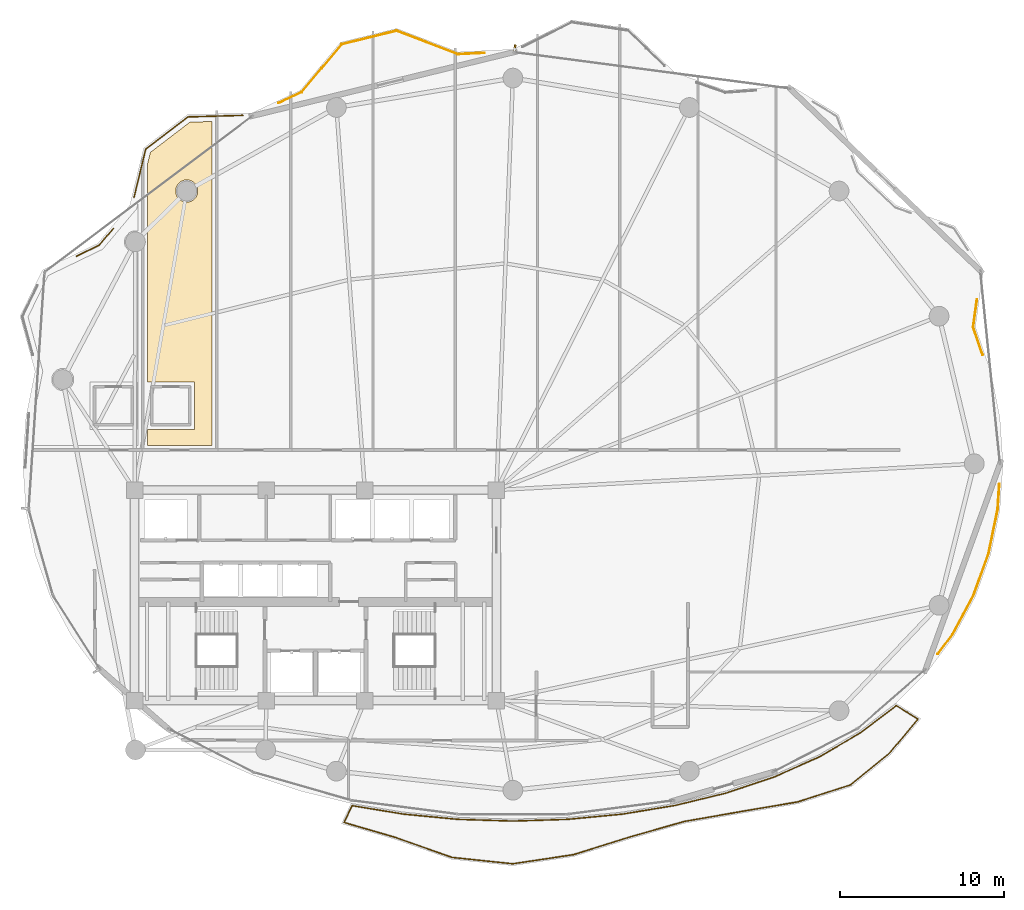
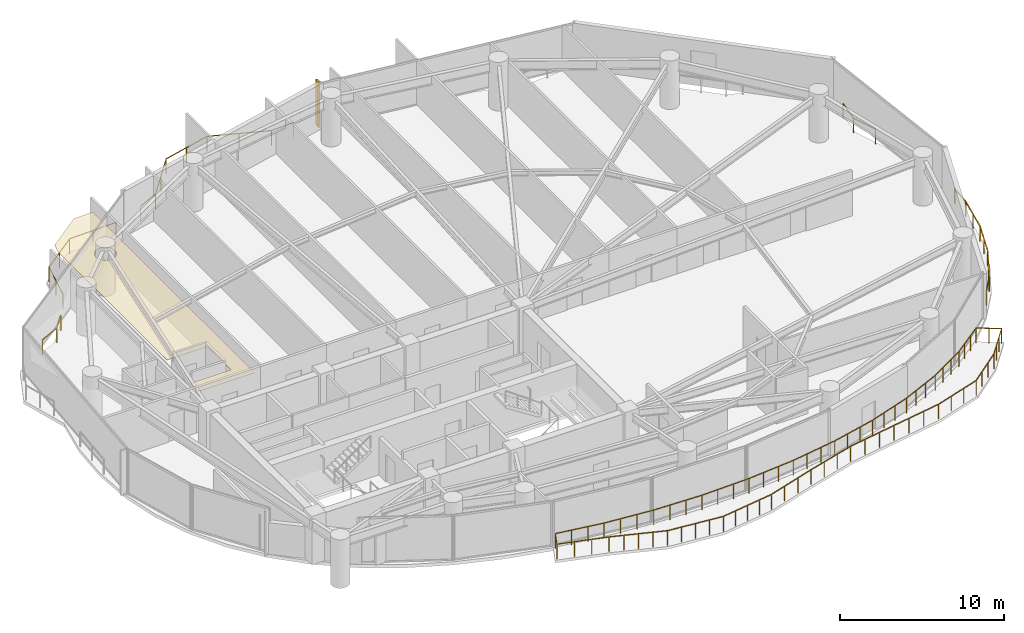
# One storey, part 29 of 30: 6 railings, 1 covering, 1 shading device.
"""IFC4 building model written with IfcOpenShell, lengths in metres."""

import ifcopenshell
import ifcopenshell.guid

model = None  # the IFC model being written
_history = None  # IfcOwnerHistory: only IFC2X3 demands one
_inside = {}  # id of a spatial element -> (the spatial element, [elements in it])
_under = {}  # id of a project, library or spatial element -> (it, [spatial elements below it])
_declared = {}  # id of a project -> (the project, [libraries it declares])
_typed = {}  # id of a type object -> (the type object, [elements of that type])
_made_of = {}  # id of a material, layer set ... -> (it, [elements and type objects made of it])


def new_model(schema):
    """Start an empty IFC model of exactly this schema.

    Asked for "IFC4X3", IfcOpenShell would pick the latest addendum, in which some entities
    have other attributes; the version numbers below select the first issue.
    IFC2X3 requires an IfcOwnerHistory on every rooted entity: one is made here for all.
    """
    global model, _history
    if schema == "IFC4X3":
        model = ifcopenshell.file(schema_version=(4, 3, 0, 0))
    else:
        model = ifcopenshell.file(schema=schema)
    _inside.clear()
    _under.clear()
    _declared.clear()
    _typed.clear()
    _made_of.clear()
    _history = None
    if model.schema == "IFC2X3":
        org = make("IfcOrganization", Name="unknown")
        user = make(
            "IfcPersonAndOrganization",
            ThePerson=make("IfcPerson", FamilyName="unknown"),
            TheOrganization=org,
        )
        app = make(
            "IfcApplication",
            ApplicationDeveloper=org,
            Version="unknown",
            ApplicationFullName="unknown",
            ApplicationIdentifier="unknown",
        )
        _history = make(
            "IfcOwnerHistory",
            OwningUser=user,
            OwningApplication=app,
            ChangeAction="ADDED",
            CreationDate=0,
        )
    return model


def make(cls, **values):
    """One entity of the class cls with the attributes given. An attribute that is None is left unset."""
    return model.create_entity(
        cls, **{name: value for name, value in values.items() if value is not None}
    )


def rooted(cls, **values):
    """An entity with a GlobalId (a new one), such as an element, a storey or a relation."""
    return make(cls, GlobalId=ifcopenshell.guid.new(), OwnerHistory=_history, **values)


def si_unit(unit_type, name, prefix=None):
    """IfcSIUnit, for example si_unit("LENGTHUNIT", "METRE", prefix="MILLI")."""
    return make("IfcSIUnit", UnitType=unit_type, Prefix=prefix, Name=name)


def assignment(units):
    """IfcUnitAssignment: the units of a project."""
    return None if units is None else make("IfcUnitAssignment", Units=units)


def point(xyz):
    """IfcCartesianPoint."""
    return None if xyz is None else make("IfcCartesianPoint", Coordinates=xyz)


def direction(xyz):
    """IfcDirection."""
    return None if xyz is None else make("IfcDirection", DirectionRatios=xyz)


def frame(location, z_axis=None, x_axis=None):
    """IfcAxis2Placement3D, a coordinate frame: its origin and axes. An axis left out is left unset."""
    return make(
        "IfcAxis2Placement3D",
        Location=point(location),
        Axis=direction(z_axis),
        RefDirection=direction(x_axis),
    )


def frame_2d(location, x_axis=None):
    """IfcAxis2Placement2D, a coordinate frame in the plane: its origin and x axis."""
    return make(
        "IfcAxis2Placement2D", Location=point(location), RefDirection=direction(x_axis)
    )


def origin():
    """The frame at (0, 0, 0) with its axes left unset."""
    return frame((0.0, 0.0, 0.0))


def origin_2d():
    """The frame at (0, 0) in the plane with its x axis left unset."""
    return frame_2d((0.0, 0.0))


def place(relative_to, where):
    """IfcLocalPlacement: puts the frame where relative to a parent placement (None: the world)."""
    return make(
        "IfcLocalPlacement", PlacementRelTo=relative_to, RelativePlacement=where
    )


def context(
    kind, dimensions, precision=None, world=None, true_north=None, identifier=None
):
    """IfcGeometricRepresentationContext, for example the 3D "Model" context."""
    return make(
        "IfcGeometricRepresentationContext",
        ContextIdentifier=identifier,
        ContextType=kind,
        CoordinateSpaceDimension=dimensions,
        Precision=precision,
        WorldCoordinateSystem=world,
        TrueNorth=true_north,
    )


def subcontext(parent, identifier, kind, view, scale=None):
    """IfcGeometricRepresentationSubContext, for example "Body" below "Model"."""
    return make(
        "IfcGeometricRepresentationSubContext",
        ContextIdentifier=identifier,
        ContextType=kind,
        ParentContext=parent,
        TargetScale=scale,
        TargetView=view,
    )


def project(units=None, contexts=None):
    """IfcProject with its units and contexts."""
    return rooted(
        "IfcProject",
        Name="project",
        RepresentationContexts=contexts,
        UnitsInContext=assignment(units),
    )


def spatial(cls, under=None, at=None, **own):
    """A site, building, storey or space (cls), placed at a placement, below another one or the project."""
    s = rooted(cls, ObjectPlacement=at, **own)
    if under is not None:
        _under.setdefault(under.id(), (under, []))[1].append(s)
    return s


def polyline(points):
    """IfcPolyline through the points."""
    return make("IfcPolyline", Points=[point(p) for p in points])


def profile(cls, at=None, kind="AREA", **sizes):
    """A parametric profile (cls). Its sizes go by their IFC names, for example OverallWidth=200.0."""
    return make(cls, ProfileType=kind, Position=at, **sizes)


def rectangle(**sizes):
    """IfcRectangleProfileDef."""
    return profile("IfcRectangleProfileDef", **sizes)


def outline(outer, holes=None, kind="AREA"):
    """IfcArbitraryClosedProfileDef: a profile drawn as a closed curve; with holes, ...WithVoids."""
    if holes is None:
        return make("IfcArbitraryClosedProfileDef", ProfileType=kind, OuterCurve=outer)
    return make(
        "IfcArbitraryProfileDefWithVoids",
        ProfileType=kind,
        OuterCurve=outer,
        InnerCurves=holes,
    )


def extrude(swept, where, along, depth):
    """IfcExtrudedAreaSolid: the profile swept, set in the frame where, extruded along a direction by depth."""
    return make(
        "IfcExtrudedAreaSolid",
        SweptArea=swept,
        Position=where,
        ExtrudedDirection=direction(along),
        Depth=depth,
    )


def shape(context_of_items, identifier, shape_type, items):
    """IfcShapeRepresentation: the items that make up one representation, for example the "Body"."""
    return make(
        "IfcShapeRepresentation",
        ContextOfItems=context_of_items,
        RepresentationIdentifier=identifier,
        RepresentationType=shape_type,
        Items=items,
    )


def material(Name=None, Category=None):
    """IfcMaterial."""
    return make("IfcMaterial", Name=Name, Category=Category)


def layer(
    of_material, thickness, ventilated=None, Name=None, Category=None, Priority=None
):
    """IfcMaterialLayer: one layer of a wall or slab, of a material (None: an air gap)."""
    return make(
        "IfcMaterialLayer",
        Material=of_material,
        LayerThickness=thickness,
        IsVentilated=ventilated,
        Name=Name,
        Category=Category,
        Priority=Priority,
    )


def layer_set(layers, Name=None):
    """IfcMaterialLayerSet."""
    return make("IfcMaterialLayerSet", MaterialLayers=layers, LayerSetName=Name)


def made_of(thing, what):
    """Note that an element or type object is made of a material, layer set ...; save() writes the relation."""
    if what is not None:
        _made_of.setdefault(what.id(), (what, []))[1].append(thing)
    return thing


def type_object(cls, material=None, **own):
    """A type object (cls), such as IfcWallType, which elements share."""
    return made_of(rooted(cls, **own), material)


def element(
    cls,
    number,
    at=None,
    inside=None,
    cuts=None,
    type_object=None,
    material=None,
    context=None,
    identifier="Body",
    shape_type=None,
    held_by="IfcProductDefinitionShape",
    body=None,
    shapes=None,
    **own,
):
    """One element of the class cls, such as IfcWall. Its Tag is "e" and its number.

    at: its placement. inside: the storey or other place that contains it. cuts: it is an
    opening in that element (IfcRelVoidsElement). A single representation is given by context,
    identifier, shape_type and body (its items); several are given by shapes. held_by: the class
    of the entity that holds the representations. save() writes the other relations.
    """
    e = rooted(cls, Tag="e%d" % number, ObjectPlacement=at, **own)
    if body is not None:
        shapes = [shape(context, identifier, shape_type, body)]
    if shapes is not None:
        e.Representation = make(held_by, Representations=shapes)
    if inside is not None:
        _inside.setdefault(inside.id(), (inside, []))[1].append(e)
    if cuts is not None:
        rooted(
            "IfcRelVoidsElement", RelatingBuildingElement=cuts, RelatedOpeningElement=e
        )
    if type_object is not None:
        _typed.setdefault(type_object.id(), (type_object, []))[1].append(e)
    return made_of(e, material)


def aggregate(whole, parts):
    """IfcRelAggregates: a whole, such as a stair, and the parts it consists of."""
    return rooted("IfcRelAggregates", RelatingObject=whole, RelatedObjects=parts)


def save(model, path):
    """Write the relations noted so far, then the file.

    IfcRelAggregates (storeys below a building ...), IfcRelContainedInSpatialStructure (elements
    in a storey), IfcRelDefinesByType, IfcRelAssociatesMaterial and IfcRelDeclares: one each for
    every whole, place, type object, material and project.
    """
    for whole, parts in _under.values():
        aggregate(whole, parts)
    for where, things in _inside.values():
        rooted(
            "IfcRelContainedInSpatialStructure",
            RelatedElements=things,
            RelatingStructure=where,
        )
    for kind, things in _typed.values():
        rooted("IfcRelDefinesByType", RelatedObjects=things, RelatingType=kind)
    for what, things in _made_of.values():
        rooted("IfcRelAssociatesMaterial", RelatedObjects=things, RelatingMaterial=what)
    for by, libraries in _declared.values():
        rooted("IfcRelDeclares", RelatingContext=by, RelatedDefinitions=libraries)
    model.write(path)


model = new_model("IFC4")

# Units and contexts
model_context = context("Model", 3, precision=1e-05, world=origin(), true_north=direction((0.0, 1.0)))
body_context = subcontext(model_context, "Body", "Model", "MODEL_VIEW")
ifc_project = project(units=[si_unit("LENGTHUNIT", "METRE"), si_unit("AREAUNIT", "SQUARE_METRE"), si_unit("VOLUMEUNIT", "CUBIC_METRE"), si_unit("PLANEANGLEUNIT", "RADIAN"), si_unit("MASSUNIT", "GRAM", prefix="KILO")], contexts=[model_context])

# Site, building, storey
site_placement = place(None, origin())
site = spatial("IfcSite", under=ifc_project, at=site_placement, CompositionType="ELEMENT")
building_placement = place(site_placement, origin())
building = spatial("IfcBuilding", under=site, at=building_placement, Name="Kazevale Care Tower and Concert Hall", CompositionType="ELEMENT")
storey_placement = place(building_placement, frame((0.0, 0.0, 131.39990234375)))
storey = spatial("IfcBuildingStorey", under=building, at=storey_placement, Name="L34", CompositionType="ELEMENT", Elevation=131.39990234375)

# Covering
ifc_material_1 = material(Name="Acoustic Plaster and Hinoki Wood", Category="wood")
ifc_layer = layer(ifc_material_1, 0.0400390625)
ifc_layer_set = layer_set([ifc_layer], Name="Acoustic Plaster and Hinoki Wood")
covering_type = type_object("IfcCoveringType", Name="Acoustic Perforated Wood-Gypsum Ceiling", PredefinedType="CEILING", material=ifc_layer_set)
covering_placement = place(storey_placement, frame((0.0, 0.0, 2.710205078125)))
element("IfcCovering", 1, at=covering_placement, inside=storey, type_object=covering_type, Name="clg:L34:2", PredefinedType="CEILING", context=body_context, shape_type="SweptSolid", body=[
    extrude(outline(polyline([(25.6298828125, 40.094970703125), (25.6298828125, 42.955078125), (22.780029296875, 42.955078125), (22.780029296875, 56.199951171875), (22.9580078125, 56.930908203125), (25.365966796875, 58.77099609375), (26.719970703125, 58.80908203125), (26.719970703125, 39.10498046875), (22.780029296875, 39.10498046875), (22.780029296875, 40.094970703125), (25.6298828125, 40.094970703125)]), holes=[polyline([(25.8369140625, 54.712890625), (25.735107421875, 54.9580078125), (25.548095703125, 55.14501953125), (25.302978515625, 55.2470703125), (25.037109375, 55.2470703125), (24.7919921875, 55.14501953125), (24.60498046875, 54.9580078125), (24.5029296875, 54.712890625), (24.5029296875, 54.447021484375), (24.60498046875, 54.201904296875), (24.7919921875, 54.014892578125), (25.037109375, 53.9130859375), (25.302978515625, 53.9130859375), (25.548095703125, 54.014892578125), (25.735107421875, 54.201904296875), (25.8369140625, 54.447021484375), (25.8369140625, 54.712890625)])]), origin(), (0.0, 0.0, 1.0), 0.039794921875),
])

# Railings
ifc_material_2 = material(Name="Anodised Bronze Aluminium and Laminated Glass", Category="aluminium")
railing_type = type_object("IfcRailingType", Name="Balcony and Terrace Balustrade 1120", PredefinedType="BALUSTRADE", material=ifc_material_2)
railing_1_placement = place(storey_placement, frame((18.4599609375, 50.62109375, 0.0)))
element("IfcRailing", 2, at=railing_1_placement, inside=storey, type_object=railing_type, Name="rail:L34:perim:3", PredefinedType="BALUSTRADE", context=body_context, shape_type="SweptSolid", body=[
    extrude(rectangle(XDim=0.048095703125, YDim=0.048095703125, at=origin_2d()), frame((0.0, 0.0, 1.09619140625), z_axis=(0.900823701656, 0.434185051026, 0.0), x_axis=(-0.434185051026, 0.900823701656, 0.0)), (0.0, 0.0, 1.0), 1.5498046875),
    extrude(rectangle(XDim=0.048095703125, YDim=0.048095703125, at=origin_2d()), frame((1.39599609375, 0.6728515625, 1.09619140625), z_axis=(0.642605296256, 0.766197385289, 0.0), x_axis=(-0.766197385289, 0.642605296256, 0.0)), (0.0, 0.0, 1.0), 1.327392578125),
    extrude(rectangle(XDim=0.0419921875, YDim=0.0419921875, at=origin_2d()), origin(), (0.0, 0.0, 1.0), 1.072021484375),
    extrude(rectangle(XDim=0.0419921875, YDim=0.0419921875, at=origin_2d()), frame((1.39599609375, 0.6728515625, 0.0)), (0.0, 0.0, 1.0), 1.072021484375),
    extrude(rectangle(XDim=0.0419921875, YDim=0.0419921875, at=origin_2d()), frame((2.2490234375, 1.68994140625, 0.0)), (0.0, 0.0, 1.0), 1.072021484375),
])
railing_2_placement = place(storey_placement, frame((21.966064453125, 54.2060546875, 0.0)))
element("IfcRailing", 3, at=railing_2_placement, inside=storey, type_object=railing_type, Name="rail:L34:perim:4", PredefinedType="BALUSTRADE", context=body_context, shape_type="SweptSolid", body=[
    extrude(rectangle(XDim=0.048095703125, YDim=0.048095703125, at=origin_2d()), frame((0.0, 0.0, 1.09619140625), z_axis=(0.236337022334, 0.971671143893, 0.0), x_axis=(-0.971671143893, 0.236337022334, 0.0)), (0.0, 0.0, 1.0), 2.995849609375),
    extrude(rectangle(XDim=0.048095703125, YDim=0.048095703125, at=origin_2d()), frame((0.7080078125, 2.910888671875, 1.09619140625), z_axis=(0.794524333095, 0.607232314785, 0.0), x_axis=(-0.607232314785, 0.794524333095, 0.0)), (0.0, 0.0, 1.0), 3.245849609375),
    extrude(rectangle(XDim=0.048095703125, YDim=0.048095703125, at=origin_2d()), frame((3.286865234375, 4.8818359375, 1.09619140625), z_axis=(0.999602588936, 0.028189788803, 0.0), x_axis=(-0.028189788803, 0.999602588936, 0.0)), (0.0, 0.0, 1.0), 3.334228515625),
    extrude(rectangle(XDim=0.0419921875, YDim=0.0419921875, at=origin_2d()), origin(), (0.0, 0.0, 1.0), 1.072021484375),
    extrude(rectangle(XDim=0.0419921875, YDim=0.0419921875, at=origin_2d()), frame((0.35400390625, 1.45556640625, 0.0)), (0.0, 0.0, 1.0), 1.072021484375),
    extrude(rectangle(XDim=0.0419921875, YDim=0.0419921875, at=origin_2d()), frame((0.7080078125, 2.910888671875, 0.0)), (0.0, 0.0, 1.0), 1.072021484375),
    extrude(rectangle(XDim=0.0419921875, YDim=0.0419921875, at=origin_2d()), frame((1.99755859375, 3.896484375, 0.0)), (0.0, 0.0, 1.0), 1.072021484375),
    extrude(rectangle(XDim=0.0419921875, YDim=0.0419921875, at=origin_2d()), frame((3.286865234375, 4.8818359375, 0.0)), (0.0, 0.0, 1.0), 1.072021484375),
    extrude(rectangle(XDim=0.0419921875, YDim=0.0419921875, at=origin_2d()), frame((4.953369140625, 4.9287109375, 0.0)), (0.0, 0.0, 1.0), 1.072021484375),
    extrude(rectangle(XDim=0.0419921875, YDim=0.0419921875, at=origin_2d()), frame((6.619873046875, 4.975830078125, 0.0)), (0.0, 0.0, 1.0), 1.072021484375),
])
railing_3_placement = place(storey_placement, frame((30.740966796875, 59.927978515625, 0.0)))
element("IfcRailing", 4, at=railing_3_placement, inside=storey, type_object=railing_type, Name="rail:L34:perim:5", PredefinedType="BALUSTRADE", context=body_context, shape_type="SweptSolid", body=[
    extrude(rectangle(XDim=0.048095703125, YDim=0.048095703125, at=origin_2d()), frame((0.0, 0.0, 1.09619140625), z_axis=(0.905736116012, 0.423842055667, 0.0), x_axis=(-0.423842055667, 0.905736116012, 0.0)), (0.0, 0.0, 1.0), 1.564453125),
    extrude(rectangle(XDim=0.048095703125, YDim=0.048095703125, at=origin_2d()), frame((1.4169921875, 0.6630859375, 1.09619140625), z_axis=(0.641607523243, 0.767033106272, 0.0), x_axis=(-0.767033106272, 0.641607523243, 0.0)), (0.0, 0.0, 1.0), 3.793701171875),
    extrude(rectangle(XDim=0.048095703125, YDim=0.048095703125, at=origin_2d()), frame((3.85107421875, 3.572998046875, 1.09619140625), z_axis=(0.970923670016, 0.239389279214, 0.0), x_axis=(-0.239389279214, 0.970923670016, 0.0)), (0.0, 0.0, 1.0), 3.433837890625),
    extrude(rectangle(XDim=0.048095703125, YDim=0.048095703125, at=origin_2d()), frame((7.18505859375, 4.39501953125, 1.09619140625), z_axis=(0.933831892262, -0.357712170598, 0.0), x_axis=(0.357712170598, 0.933831892262, 0.0)), (0.0, 0.0, 1.0), 3.978271484375),
    extrude(rectangle(XDim=0.048095703125, YDim=0.048095703125, at=origin_2d()), frame((10.900146484375, 2.971923828125, 1.09619140625), z_axis=(0.998862326121, 0.04768703657, 0.0), x_axis=(-0.04768703657, 0.998862326121, 0.0)), (0.0, 0.0, 1.0), 1.617919921875),
    extrude(rectangle(XDim=0.0419921875, YDim=0.0419921875, at=origin_2d()), origin(), (0.0, 0.0, 1.0), 1.072021484375),
    extrude(rectangle(XDim=0.0419921875, YDim=0.0419921875, at=origin_2d()), frame((1.4169921875, 0.6630859375, 0.0)), (0.0, 0.0, 1.0), 1.072021484375),
    extrude(rectangle(XDim=0.0419921875, YDim=0.0419921875, at=origin_2d()), frame((2.634033203125, 2.1181640625, 0.0)), (0.0, 0.0, 1.0), 1.072021484375),
    extrude(rectangle(XDim=0.0419921875, YDim=0.0419921875, at=origin_2d()), frame((3.85107421875, 3.572998046875, 0.0)), (0.0, 0.0, 1.0), 1.072021484375),
    extrude(rectangle(XDim=0.0419921875, YDim=0.0419921875, at=origin_2d()), frame((5.51806640625, 3.98388671875, 0.0)), (0.0, 0.0, 1.0), 1.072021484375),
    extrude(rectangle(XDim=0.0419921875, YDim=0.0419921875, at=origin_2d()), frame((7.18505859375, 4.39501953125, 0.0)), (0.0, 0.0, 1.0), 1.072021484375),
    extrude(rectangle(XDim=0.0419921875, YDim=0.0419921875, at=origin_2d()), frame((9.04248046875, 3.68359375, 0.0)), (0.0, 0.0, 1.0), 1.072021484375),
    extrude(rectangle(XDim=0.0419921875, YDim=0.0419921875, at=origin_2d()), frame((10.900146484375, 2.971923828125, 0.0)), (0.0, 0.0, 1.0), 1.072021484375),
    extrude(rectangle(XDim=0.0419921875, YDim=0.0419921875, at=origin_2d()), frame((12.51611328125, 3.049072265625, 0.0)), (0.0, 0.0, 1.0), 1.072021484375),
])
railing_4_placement = place(storey_placement, frame((74.576904296875, 36.76611328125, 0.0)))
element("IfcRailing", 5, at=railing_4_placement, inside=storey, type_object=railing_type, Name="rail:L34:perim:10", PredefinedType="BALUSTRADE", context=body_context, shape_type="SweptSolid", body=[
    extrude(rectangle(XDim=0.048095703125, YDim=0.048095703125, at=origin_2d()), frame((0.0, 0.0, 1.09619140625), z_axis=(-0.066164353261, -0.997808738365, 0.0), x_axis=(0.997808738365, -0.066164353261, 0.0)), (0.0, 0.0, 1.0), 1.553466796875),
    extrude(rectangle(XDim=0.048095703125, YDim=0.048095703125, at=origin_2d()), frame((-0.102783203125, -1.550048828125, 1.09619140625), z_axis=(-0.202611486218, -0.979259202485, 0.0), x_axis=(0.979259202485, -0.202611486218, 0.0)), (0.0, 0.0, 1.0), 2.744873046875),
    extrude(rectangle(XDim=0.048095703125, YDim=0.048095703125, at=origin_2d()), frame((-0.658935546875, -4.238037109375, 1.09619140625), z_axis=(-0.339653342944, -0.940550693279, 0.0), x_axis=(0.940550693279, -0.339653342944, 0.0)), (0.0, 0.0, 1.0), 2.70263671875),
    extrude(rectangle(XDim=0.048095703125, YDim=0.048095703125, at=origin_2d()), frame((-1.576904296875, -6.780029296875, 1.09619140625), z_axis=(-0.473735648305, -0.880667096879, 0.0), x_axis=(0.880667096879, -0.473735648305, 0.0)), (0.0, 0.0, 1.0), 2.6787109375),
    extrude(rectangle(XDim=0.048095703125, YDim=0.048095703125, at=origin_2d()), frame((-2.845947265625, -9.13916015625, 1.09619140625), z_axis=(-0.597990687273, -0.801503049236, 0.0), x_axis=(0.801503049236, -0.597990687273, 0.0)), (0.0, 0.0, 1.0), 1.498291015625),
    extrude(rectangle(XDim=0.0419921875, YDim=0.0419921875, at=origin_2d()), origin(), (0.0, 0.0, 1.0), 1.072021484375),
    extrude(rectangle(XDim=0.0419921875, YDim=0.0419921875, at=origin_2d()), frame((-0.102783203125, -1.550048828125, 0.0)), (0.0, 0.0, 1.0), 1.072021484375),
    extrude(rectangle(XDim=0.0419921875, YDim=0.0419921875, at=origin_2d()), frame((-0.380859375, -2.89404296875, 0.0)), (0.0, 0.0, 1.0), 1.072021484375),
    extrude(rectangle(XDim=0.0419921875, YDim=0.0419921875, at=origin_2d()), frame((-0.658935546875, -4.238037109375, 0.0)), (0.0, 0.0, 1.0), 1.072021484375),
    extrude(rectangle(XDim=0.0419921875, YDim=0.0419921875, at=origin_2d()), frame((-1.117919921875, -5.509033203125, 0.0)), (0.0, 0.0, 1.0), 1.072021484375),
    extrude(rectangle(XDim=0.0419921875, YDim=0.0419921875, at=origin_2d()), frame((-1.576904296875, -6.780029296875, 0.0)), (0.0, 0.0, 1.0), 1.072021484375),
    extrude(rectangle(XDim=0.0419921875, YDim=0.0419921875, at=origin_2d()), frame((-2.21142578125, -7.95947265625, 0.0)), (0.0, 0.0, 1.0), 1.072021484375),
    extrude(rectangle(XDim=0.0419921875, YDim=0.0419921875, at=origin_2d()), frame((-2.845947265625, -9.13916015625, 0.0)), (0.0, 0.0, 1.0), 1.072021484375),
    extrude(rectangle(XDim=0.0419921875, YDim=0.0419921875, at=origin_2d()), frame((-3.741943359375, -10.340087890625, 0.0)), (0.0, 0.0, 1.0), 1.072021484375),
])
railing_5_placement = place(storey_placement, frame((73.216064453125, 47.98193359375, 0.0)))
element("IfcRailing", 6, at=railing_5_placement, inside=storey, type_object=railing_type, Name="rail:L34:perim:12", PredefinedType="BALUSTRADE", context=body_context, shape_type="SweptSolid", body=[
    extrude(rectangle(XDim=0.048095703125, YDim=0.048095703125, at=origin_2d()), frame((0.0, 0.0, 1.09619140625), z_axis=(-0.137473823068, -0.990505400274, 0.0), x_axis=(0.990505400274, -0.137473823068, 0.0)), (0.0, 0.0, 1.0), 1.68896484375),
    extrude(rectangle(XDim=0.048095703125, YDim=0.048095703125, at=origin_2d()), frame((-0.232177734375, -1.6728515625, 1.09619140625), z_axis=(0.322868909969, -0.946443694562, 0.0), x_axis=(0.946443694562, 0.322868909969, 0.0)), (0.0, 0.0, 1.0), 1.784423828125),
    extrude(rectangle(XDim=0.0419921875, YDim=0.0419921875, at=origin_2d()), origin(), (0.0, 0.0, 1.0), 1.072021484375),
    extrude(rectangle(XDim=0.0419921875, YDim=0.0419921875, at=origin_2d()), frame((-0.232177734375, -1.6728515625, 0.0)), (0.0, 0.0, 1.0), 1.072021484375),
    extrude(rectangle(XDim=0.0419921875, YDim=0.0419921875, at=origin_2d()), frame((0.343994140625, -3.36181640625, 0.0)), (0.0, 0.0, 1.0), 1.072021484375),
])
railing_6_placement = place(storey_placement, frame((35.22509765625, 17.2099609375, 0.0)))
element("IfcRailing", 7, at=railing_6_placement, inside=storey, type_object=railing_type, Name="rail:L34:balcony", PredefinedType="BALUSTRADE", context=body_context, shape_type="SweptSolid", body=[
    extrude(rectangle(XDim=0.048095703125, YDim=0.048095703125, at=origin_2d()), frame((0.0, 0.0, 1.09619140625), z_axis=(0.986720826515, -0.162425399869, 0.0), x_axis=(0.162425399869, 0.986720826515, 0.0)), (0.0, 0.0, 1.0), 3.169921875),
    extrude(rectangle(XDim=0.048095703125, YDim=0.048095703125, at=origin_2d()), frame((3.1279296875, -0.514892578125, 1.09619140625), z_axis=(0.995477928413, -0.09499312629, 0.0), x_axis=(0.09499312629, 0.995477928413, 0.0)), (0.0, 0.0, 1.0), 3.31787109375),
    extrude(rectangle(XDim=0.048095703125, YDim=0.048095703125, at=origin_2d()), frame((6.430908203125, -0.830078125, 1.09619140625), z_axis=(0.999507580629, -0.031378276971, 0.0), x_axis=(0.031378276971, 0.999507580629, 0.0)), (0.0, 0.0, 1.0), 3.345703125),
    extrude(rectangle(XDim=0.048095703125, YDim=0.048095703125, at=origin_2d()), frame((9.77490234375, -0.93505859375, 1.09619140625), z_axis=(0.999507580629, 0.031378276971, 0.0), x_axis=(-0.031378276971, 0.999507580629, 0.0)), (0.0, 0.0, 1.0), 3.345703125),
    extrude(rectangle(XDim=0.048095703125, YDim=0.048095703125, at=origin_2d()), frame((13.118896484375, -0.830078125, 1.09619140625), z_axis=(0.995477928413, 0.09499312629, 0.0), x_axis=(-0.09499312629, 0.995477928413, 0.0)), (0.0, 0.0, 1.0), 3.31787109375),
    extrude(rectangle(XDim=0.048095703125, YDim=0.048095703125, at=origin_2d()), frame((16.421875, -0.514892578125, 1.09619140625), z_axis=(0.986673526711, 0.162712481659, 0.0), x_axis=(-0.162712481659, 0.986673526711, 0.0)), (0.0, 0.0, 1.0), 3.263427734375),
    extrude(rectangle(XDim=0.048095703125, YDim=0.048095703125, at=origin_2d()), frame((19.641845703125, 0.01611328125, 1.09619140625), z_axis=(0.971769261323, 0.235933259095, 0.0), x_axis=(-0.235933259095, 0.971769261323, 0.0)), (0.0, 0.0, 1.0), 3.187255859375),
    extrude(rectangle(XDim=0.048095703125, YDim=0.048095703125, at=origin_2d()), frame((22.739013671875, 0.76806640625, 1.09619140625), z_axis=(0.948264523365, 0.317481328155, 0.0), x_axis=(-0.317481328155, 0.948264523365, 0.0)), (0.0, 0.0, 1.0), 3.095947265625),
    extrude(rectangle(XDim=0.048095703125, YDim=0.048095703125, at=origin_2d()), frame((25.6748046875, 1.7509765625, 1.09619140625), z_axis=(0.913377633239, 0.407113373766, 0.0), x_axis=(-0.407113373766, 0.913377633239, 0.0)), (0.0, 0.0, 1.0), 2.99658203125),
    extrude(rectangle(XDim=0.048095703125, YDim=0.048095703125, at=origin_2d()), frame((28.411865234375, 2.970947265625, 1.09619140625), z_axis=(0.863507127078, 0.504336635082, 0.0), x_axis=(-0.504336635082, 0.863507127078, 0.0)), (0.0, 0.0, 1.0), 2.901123046875),
    extrude(rectangle(XDim=0.048095703125, YDim=0.048095703125, at=origin_2d()), frame((30.9169921875, 4.43408203125, 1.09619140625), z_axis=(0.795030778338, 0.606569090455, 0.0), x_axis=(-0.606569090455, 0.795030778338, 0.0)), (0.0, 0.0, 1.0), 2.726806640625),
    extrude(rectangle(XDim=0.048095703125, YDim=0.048095703125, at=origin_2d()), frame((33.0849609375, 6.088134765625, 1.09619140625), z_axis=(0.848130363532, -0.529787586165, 0.0), x_axis=(0.529787586165, 0.848130363532, 0.0)), (0.0, 0.0, 1.0), 1.5576171875),
    extrude(rectangle(XDim=0.048095703125, YDim=0.048095703125, at=origin_2d()), frame((34.406005859375, 5.262939453125, 1.09619140625), z_axis=(-0.642228369572, -0.766513353646, 0.0), x_axis=(0.766513353646, -0.642228369572, 0.0)), (0.0, 0.0, 1.0), 2.734375),
    extrude(rectangle(XDim=0.048095703125, YDim=0.048095703125, at=origin_2d()), frame((32.64990234375, 3.1669921875, 1.09619140625), z_axis=(-0.776084238641, -0.630629252836, 0.0), x_axis=(0.630629252836, -0.776084238641, 0.0)), (0.0, 0.0, 1.0), 3.01123046875),
    extrude(rectangle(XDim=0.048095703125, YDim=0.048095703125, at=origin_2d()), frame((30.31298828125, 1.26806640625, 1.09619140625), z_axis=(-0.95206363721, -0.305900033838, 0.0), x_axis=(0.305900033838, -0.95206363721, 0.0)), (0.0, 0.0, 1.0), 3.403076171875),
    extrude(rectangle(XDim=0.048095703125, YDim=0.048095703125, at=origin_2d()), frame((27.072998046875, 0.22705078125, 1.09619140625), z_axis=(-0.985871767284, -0.167501816327, 0.0), x_axis=(0.167501816327, -0.985871767284, 0.0)), (0.0, 0.0, 1.0), 3.546142578125),
    extrude(rectangle(XDim=0.048095703125, YDim=0.048095703125, at=origin_2d()), frame((23.576904296875, -0.366943359375, 1.09619140625), z_axis=(-0.984987578026, -0.172625233193, 0.0), x_axis=(0.172625233193, -0.984987578026, 0.0)), (0.0, 0.0, 1.0), 3.4580078125),
    extrude(rectangle(XDim=0.048095703125, YDim=0.048095703125, at=origin_2d()), frame((20.1708984375, -0.9638671875, 1.09619140625), z_axis=(-0.961510484252, -0.274768245388, 0.0), x_axis=(0.274768245388, -0.961510484252, 0.0)), (0.0, 0.0, 1.0), 3.421630859375),
    extrude(rectangle(XDim=0.048095703125, YDim=0.048095703125, at=origin_2d()), frame((16.880859375, -1.904052734375, 1.09619140625), z_axis=(-0.954292235378, -0.298875106854, 0.0), x_axis=(0.298875106854, -0.954292235378, 0.0)), (0.0, 0.0, 1.0), 3.590087890625),
    extrude(rectangle(XDim=0.048095703125, YDim=0.048095703125, at=origin_2d()), frame((13.454833984375, -2.97705078125, 1.09619140625), z_axis=(-0.988837567574, -0.148997533384, 0.0), x_axis=(0.148997533384, -0.988837567574, 0.0)), (0.0, 0.0, 1.0), 3.724365234375),
    extrude(rectangle(XDim=0.048095703125, YDim=0.048095703125, at=origin_2d()), frame((9.77197265625, -3.531982421875, 1.09619140625), z_axis=(-0.9945602721, 0.104162686025, 0.0), x_axis=(-0.104162686025, -0.9945602721, 0.0)), (0.0, 0.0, 1.0), 3.724365234375),
    extrude(rectangle(XDim=0.048095703125, YDim=0.048095703125, at=origin_2d()), frame((6.06787109375, -3.14404296875, 1.09619140625), z_axis=(-0.942793158909, 0.33337825291, 0.0), x_axis=(-0.33337825291, -0.942793158909, 0.0)), (0.0, 0.0, 1.0), 3.61474609375),
    extrude(rectangle(XDim=0.048095703125, YDim=0.048095703125, at=origin_2d()), frame((2.659912109375, -1.93896484375, 1.09619140625), z_axis=(-0.959888127725, 0.280383277414, 0.0), x_axis=(-0.280383277414, -0.959888127725, 0.0)), (0.0, 0.0, 1.0), 3.27734375),
    extrude(rectangle(XDim=0.048095703125, YDim=0.048095703125, at=origin_2d()), frame((-0.486083984375, -1.02001953125, 1.09619140625), z_axis=(0.430193564376, 0.902736671001, 0.0), x_axis=(-0.902736671001, 0.430193564376, 0.0)), (0.0, 0.0, 1.0), 1.1298828125),
    extrude(rectangle(XDim=0.0419921875, YDim=0.0419921875, at=origin_2d()), origin(), (0.0, 0.0, 1.0), 1.072021484375),
    extrude(rectangle(XDim=0.0419921875, YDim=0.0419921875, at=origin_2d()), frame((1.042724609375, -0.171630859375, 0.0)), (0.0, 0.0, 1.0), 1.072021484375),
    extrude(rectangle(XDim=0.0419921875, YDim=0.0419921875, at=origin_2d()), frame((2.085205078125, -0.34326171875, 0.0)), (0.0, 0.0, 1.0), 1.072021484375),
    extrude(rectangle(XDim=0.0419921875, YDim=0.0419921875, at=origin_2d()), frame((3.1279296875, -0.514892578125, 0.0)), (0.0, 0.0, 1.0), 1.072021484375),
    extrude(rectangle(XDim=0.0419921875, YDim=0.0419921875, at=origin_2d()), frame((4.22900390625, -0.619873046875, 0.0)), (0.0, 0.0, 1.0), 1.072021484375),
    extrude(rectangle(XDim=0.0419921875, YDim=0.0419921875, at=origin_2d()), frame((5.329833984375, -0.72509765625, 0.0)), (0.0, 0.0, 1.0), 1.072021484375),
    extrude(rectangle(XDim=0.0419921875, YDim=0.0419921875, at=origin_2d()), frame((6.430908203125, -0.830078125, 0.0)), (0.0, 0.0, 1.0), 1.072021484375),
    extrude(rectangle(XDim=0.0419921875, YDim=0.0419921875, at=origin_2d()), frame((7.545654296875, -0.864990234375, 0.0)), (0.0, 0.0, 1.0), 1.072021484375),
    extrude(rectangle(XDim=0.0419921875, YDim=0.0419921875, at=origin_2d()), frame((8.66015625, -0.900146484375, 0.0)), (0.0, 0.0, 1.0), 1.072021484375),
    extrude(rectangle(XDim=0.0419921875, YDim=0.0419921875, at=origin_2d()), frame((9.77490234375, -0.93505859375, 0.0)), (0.0, 0.0, 1.0), 1.072021484375),
    extrude(rectangle(XDim=0.0419921875, YDim=0.0419921875, at=origin_2d()), frame((10.8896484375, -0.900146484375, 0.0)), (0.0, 0.0, 1.0), 1.072021484375),
    extrude(rectangle(XDim=0.0419921875, YDim=0.0419921875, at=origin_2d()), frame((12.004150390625, -0.864990234375, 0.0)), (0.0, 0.0, 1.0), 1.072021484375),
    extrude(rectangle(XDim=0.0419921875, YDim=0.0419921875, at=origin_2d()), frame((13.118896484375, -0.830078125, 0.0)), (0.0, 0.0, 1.0), 1.072021484375),
    extrude(rectangle(XDim=0.0419921875, YDim=0.0419921875, at=origin_2d()), frame((14.219970703125, -0.72509765625, 0.0)), (0.0, 0.0, 1.0), 1.072021484375),
    extrude(rectangle(XDim=0.0419921875, YDim=0.0419921875, at=origin_2d()), frame((15.32080078125, -0.619873046875, 0.0)), (0.0, 0.0, 1.0), 1.072021484375),
    extrude(rectangle(XDim=0.0419921875, YDim=0.0419921875, at=origin_2d()), frame((16.421875, -0.514892578125, 0.0)), (0.0, 0.0, 1.0), 1.072021484375),
    extrude(rectangle(XDim=0.0419921875, YDim=0.0419921875, at=origin_2d()), frame((17.4951171875, -0.337890625, 0.0)), (0.0, 0.0, 1.0), 1.072021484375),
    extrude(rectangle(XDim=0.0419921875, YDim=0.0419921875, at=origin_2d()), frame((18.568603515625, -0.160888671875, 0.0)), (0.0, 0.0, 1.0), 1.072021484375),
    extrude(rectangle(XDim=0.0419921875, YDim=0.0419921875, at=origin_2d()), frame((19.641845703125, 0.01611328125, 0.0)), (0.0, 0.0, 1.0), 1.072021484375),
    extrude(rectangle(XDim=0.0419921875, YDim=0.0419921875, at=origin_2d()), frame((20.67431640625, 0.266845703125, 0.0)), (0.0, 0.0, 1.0), 1.072021484375),
    extrude(rectangle(XDim=0.0419921875, YDim=0.0419921875, at=origin_2d()), frame((21.70654296875, 0.517333984375, 0.0)), (0.0, 0.0, 1.0), 1.072021484375),
    extrude(rectangle(XDim=0.0419921875, YDim=0.0419921875, at=origin_2d()), frame((22.739013671875, 0.76806640625, 0.0)), (0.0, 0.0, 1.0), 1.072021484375),
    extrude(rectangle(XDim=0.0419921875, YDim=0.0419921875, at=origin_2d()), frame((23.717529296875, 1.095703125, 0.0)), (0.0, 0.0, 1.0), 1.072021484375),
    extrude(rectangle(XDim=0.0419921875, YDim=0.0419921875, at=origin_2d()), frame((24.6962890625, 1.42333984375, 0.0)), (0.0, 0.0, 1.0), 1.072021484375),
    extrude(rectangle(XDim=0.0419921875, YDim=0.0419921875, at=origin_2d()), frame((25.6748046875, 1.7509765625, 0.0)), (0.0, 0.0, 1.0), 1.072021484375),
    extrude(rectangle(XDim=0.0419921875, YDim=0.0419921875, at=origin_2d()), frame((26.587158203125, 2.15771484375, 0.0)), (0.0, 0.0, 1.0), 1.072021484375),
    extrude(rectangle(XDim=0.0419921875, YDim=0.0419921875, at=origin_2d()), frame((27.49951171875, 2.564208984375, 0.0)), (0.0, 0.0, 1.0), 1.072021484375),
    extrude(rectangle(XDim=0.0419921875, YDim=0.0419921875, at=origin_2d()), frame((28.411865234375, 2.970947265625, 0.0)), (0.0, 0.0, 1.0), 1.072021484375),
    extrude(rectangle(XDim=0.0419921875, YDim=0.0419921875, at=origin_2d()), frame((29.246826171875, 3.458740234375, 0.0)), (0.0, 0.0, 1.0), 1.072021484375),
    extrude(rectangle(XDim=0.0419921875, YDim=0.0419921875, at=origin_2d()), frame((30.08203125, 3.9462890625, 0.0)), (0.0, 0.0, 1.0), 1.072021484375),
    extrude(rectangle(XDim=0.0419921875, YDim=0.0419921875, at=origin_2d()), frame((30.9169921875, 4.43408203125, 0.0)), (0.0, 0.0, 1.0), 1.072021484375),
    extrude(rectangle(XDim=0.0419921875, YDim=0.0419921875, at=origin_2d()), frame((31.6396484375, 4.9853515625, 0.0)), (0.0, 0.0, 1.0), 1.072021484375),
    extrude(rectangle(XDim=0.0419921875, YDim=0.0419921875, at=origin_2d()), frame((32.3623046875, 5.536865234375, 0.0)), (0.0, 0.0, 1.0), 1.072021484375),
    extrude(rectangle(XDim=0.0419921875, YDim=0.0419921875, at=origin_2d()), frame((33.0849609375, 6.088134765625, 0.0)), (0.0, 0.0, 1.0), 1.072021484375),
    extrude(rectangle(XDim=0.0419921875, YDim=0.0419921875, at=origin_2d()), frame((33.74560546875, 5.675537109375, 0.0)), (0.0, 0.0, 1.0), 1.072021484375),
    extrude(rectangle(XDim=0.0419921875, YDim=0.0419921875, at=origin_2d()), frame((34.406005859375, 5.262939453125, 0.0)), (0.0, 0.0, 1.0), 1.072021484375),
    extrude(rectangle(XDim=0.0419921875, YDim=0.0419921875, at=origin_2d()), frame((33.820556640625, 4.564208984375, 0.0)), (0.0, 0.0, 1.0), 1.072021484375),
    extrude(rectangle(XDim=0.0419921875, YDim=0.0419921875, at=origin_2d()), frame((33.2353515625, 3.86572265625, 0.0)), (0.0, 0.0, 1.0), 1.072021484375),
    extrude(rectangle(XDim=0.0419921875, YDim=0.0419921875, at=origin_2d()), frame((32.64990234375, 3.1669921875, 0.0)), (0.0, 0.0, 1.0), 1.072021484375),
    extrude(rectangle(XDim=0.0419921875, YDim=0.0419921875, at=origin_2d()), frame((31.870849609375, 2.533935546875, 0.0)), (0.0, 0.0, 1.0), 1.072021484375),
    extrude(rectangle(XDim=0.0419921875, YDim=0.0419921875, at=origin_2d()), frame((31.092041015625, 1.901123046875, 0.0)), (0.0, 0.0, 1.0), 1.072021484375),
    extrude(rectangle(XDim=0.0419921875, YDim=0.0419921875, at=origin_2d()), frame((30.31298828125, 1.26806640625, 0.0)), (0.0, 0.0, 1.0), 1.072021484375),
    extrude(rectangle(XDim=0.0419921875, YDim=0.0419921875, at=origin_2d()), frame((29.23291015625, 0.921142578125, 0.0)), (0.0, 0.0, 1.0), 1.072021484375),
    extrude(rectangle(XDim=0.0419921875, YDim=0.0419921875, at=origin_2d()), frame((28.153076171875, 0.573974609375, 0.0)), (0.0, 0.0, 1.0), 1.072021484375),
    extrude(rectangle(XDim=0.0419921875, YDim=0.0419921875, at=origin_2d()), frame((27.072998046875, 0.22705078125, 0.0)), (0.0, 0.0, 1.0), 1.072021484375),
    extrude(rectangle(XDim=0.0419921875, YDim=0.0419921875, at=origin_2d()), frame((25.90771484375, 0.029052734375, 0.0)), (0.0, 0.0, 1.0), 1.072021484375),
    extrude(rectangle(XDim=0.0419921875, YDim=0.0419921875, at=origin_2d()), frame((24.7421875, -0.1689453125, 0.0)), (0.0, 0.0, 1.0), 1.072021484375),
    extrude(rectangle(XDim=0.0419921875, YDim=0.0419921875, at=origin_2d()), frame((23.576904296875, -0.366943359375, 0.0)), (0.0, 0.0, 1.0), 1.072021484375),
    extrude(rectangle(XDim=0.0419921875, YDim=0.0419921875, at=origin_2d()), frame((22.441650390625, -0.56591796875, 0.0)), (0.0, 0.0, 1.0), 1.072021484375),
    extrude(rectangle(XDim=0.0419921875, YDim=0.0419921875, at=origin_2d()), frame((21.30615234375, -0.764892578125, 0.0)), (0.0, 0.0, 1.0), 1.072021484375),
    extrude(rectangle(XDim=0.0419921875, YDim=0.0419921875, at=origin_2d()), frame((20.1708984375, -0.9638671875, 0.0)), (0.0, 0.0, 1.0), 1.072021484375),
    extrude(rectangle(XDim=0.0419921875, YDim=0.0419921875, at=origin_2d()), frame((19.07421875, -1.27734375, 0.0)), (0.0, 0.0, 1.0), 1.072021484375),
    extrude(rectangle(XDim=0.0419921875, YDim=0.0419921875, at=origin_2d()), frame((17.9775390625, -1.590576171875, 0.0)), (0.0, 0.0, 1.0), 1.072021484375),
    extrude(rectangle(XDim=0.0419921875, YDim=0.0419921875, at=origin_2d()), frame((16.880859375, -1.904052734375, 0.0)), (0.0, 0.0, 1.0), 1.072021484375),
    extrude(rectangle(XDim=0.0419921875, YDim=0.0419921875, at=origin_2d()), frame((15.73876953125, -2.26171875, 0.0)), (0.0, 0.0, 1.0), 1.072021484375),
    extrude(rectangle(XDim=0.0419921875, YDim=0.0419921875, at=origin_2d()), frame((14.596923828125, -2.619384765625, 0.0)), (0.0, 0.0, 1.0), 1.072021484375),
    extrude(rectangle(XDim=0.0419921875, YDim=0.0419921875, at=origin_2d()), frame((13.454833984375, -2.97705078125, 0.0)), (0.0, 0.0, 1.0), 1.072021484375),
    extrude(rectangle(XDim=0.0419921875, YDim=0.0419921875, at=origin_2d()), frame((12.5341796875, -3.11572265625, 0.0)), (0.0, 0.0, 1.0), 1.072021484375),
    extrude(rectangle(XDim=0.0419921875, YDim=0.0419921875, at=origin_2d()), frame((11.61328125, -3.25439453125, 0.0)), (0.0, 0.0, 1.0), 1.072021484375),
    extrude(rectangle(XDim=0.0419921875, YDim=0.0419921875, at=origin_2d()), frame((10.692626953125, -3.393310546875, 0.0)), (0.0, 0.0, 1.0), 1.072021484375),
    extrude(rectangle(XDim=0.0419921875, YDim=0.0419921875, at=origin_2d()), frame((9.77197265625, -3.531982421875, 0.0)), (0.0, 0.0, 1.0), 1.072021484375),
    extrude(rectangle(XDim=0.0419921875, YDim=0.0419921875, at=origin_2d()), frame((8.845947265625, -3.43505859375, 0.0)), (0.0, 0.0, 1.0), 1.072021484375),
    extrude(rectangle(XDim=0.0419921875, YDim=0.0419921875, at=origin_2d()), frame((7.919921875, -3.337890625, 0.0)), (0.0, 0.0, 1.0), 1.072021484375),
    extrude(rectangle(XDim=0.0419921875, YDim=0.0419921875, at=origin_2d()), frame((6.993896484375, -3.240966796875, 0.0)), (0.0, 0.0, 1.0), 1.072021484375),
    extrude(rectangle(XDim=0.0419921875, YDim=0.0419921875, at=origin_2d()), frame((6.06787109375, -3.14404296875, 0.0)), (0.0, 0.0, 1.0), 1.072021484375),
    extrude(rectangle(XDim=0.0419921875, YDim=0.0419921875, at=origin_2d()), frame((5.2158203125, -2.8427734375, 0.0)), (0.0, 0.0, 1.0), 1.072021484375),
    extrude(rectangle(XDim=0.0419921875, YDim=0.0419921875, at=origin_2d()), frame((4.36376953125, -2.54150390625, 0.0)), (0.0, 0.0, 1.0), 1.072021484375),
    extrude(rectangle(XDim=0.0419921875, YDim=0.0419921875, at=origin_2d()), frame((3.511962890625, -2.240234375, 0.0)), (0.0, 0.0, 1.0), 1.072021484375),
    extrude(rectangle(XDim=0.0419921875, YDim=0.0419921875, at=origin_2d()), frame((2.659912109375, -1.93896484375, 0.0)), (0.0, 0.0, 1.0), 1.072021484375),
    extrude(rectangle(XDim=0.0419921875, YDim=0.0419921875, at=origin_2d()), frame((1.611328125, -1.632568359375, 0.0)), (0.0, 0.0, 1.0), 1.072021484375),
    extrude(rectangle(XDim=0.0419921875, YDim=0.0419921875, at=origin_2d()), frame((0.5625, -1.326416015625, 0.0)), (0.0, 0.0, 1.0), 1.072021484375),
    extrude(rectangle(XDim=0.0419921875, YDim=0.0419921875, at=origin_2d()), frame((-0.486083984375, -1.02001953125, 0.0)), (0.0, 0.0, 1.0), 1.072021484375),
])

# Shading device
ifc_material_3 = material(Name="Honed Ochre Limestone", Category="masonry")
shading_device_type = type_object("IfcShadingDeviceType", Name="Vertical Honed Limestone Fin FIN-01", PredefinedType="USERDEFINED", material=ifc_material_3)
shading_device_placement = place(storey_placement, frame((45.118408203125, 63.27587890625, 0.0), z_axis=(0.0, 0.0, 1.0), x_axis=(0.130872263805, 0.991399238736, 0.0)))
element("IfcShadingDevice", 8, at=shading_device_placement, inside=storey, type_object=shading_device_type, Name="cw:L34:f16:fin", ObjectType="FIN", PredefinedType="USERDEFINED", context=body_context, shape_type="SweptSolid", body=[
    extrude(rectangle(XDim=0.3798828125, YDim=0.1201171875, at=origin_2d()), origin(), (0.0, 0.0, 1.0), 3.360107421875),
])

save(model, "model.ifc")
